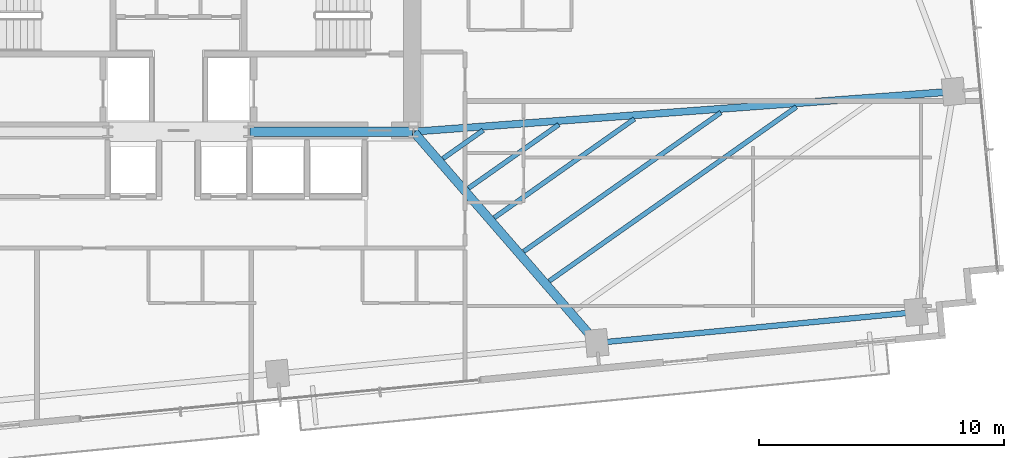
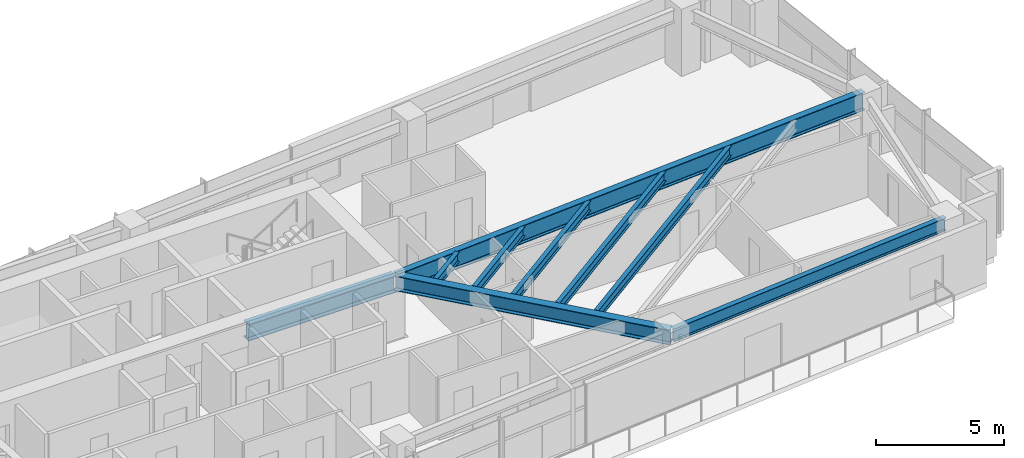
# One storey, part 13 of 27: 9 beams.
"""IFC4 building model written with IfcOpenShell, lengths in metres."""

from ifc_helpers import new_model, si_unit, direction, frame, origin, origin_2d, place, context, subcontext, project, spatial, i_section, extrude, source, transform, mapped, material, material_profile, profile_set, type_object, type_shapes, element, save


model = new_model("IFC4")

# Units and contexts
model_context = context("Model", 3, precision=1e-05, world=origin(), true_north=direction((0.0, 1.0)))
body_context = subcontext(model_context, "Body", "Model", "MODEL_VIEW")
ifc_project = project(units=[si_unit("LENGTHUNIT", "METRE"), si_unit("AREAUNIT", "SQUARE_METRE"), si_unit("VOLUMEUNIT", "CUBIC_METRE"), si_unit("PLANEANGLEUNIT", "RADIAN"), si_unit("MASSUNIT", "GRAM", prefix="KILO")], contexts=[model_context])

# Site, building, storey
site_placement = place(None, origin())
site = spatial("IfcSite", under=ifc_project, at=site_placement, CompositionType="ELEMENT")
building_placement = place(site_placement, origin())
building = spatial("IfcBuilding", under=site, at=building_placement, Name="Astriad Promenade Condominiums", CompositionType="ELEMENT")
storey_placement = place(building_placement, frame((0.0, 0.0, 109.800048828125)))
storey = spatial("IfcBuildingStorey", under=building, at=storey_placement, Name="L31", CompositionType="ELEMENT", Elevation=109.800048828125)

# Beams
ifc_material = material(Name="Steel ASTM A992 Grade 50", Category="steel")
ifc_material_profile_1 = material_profile(ifc_material, i_section(OverallWidth=0.3837890625, OverallDepth=0.785888671875, WebThickness=0.019775390625, FlangeThickness=0.033447265625, FilletRadius=0.021484375, at=origin_2d()), Name="W30X211")
ifc_profile_set_1 = profile_set([ifc_material_profile_1], Name="Steel ASTM A992 Grade 50")
beam_type_1 = type_object("IfcBeamType", Name="STEEL FLOOR GIRDER W30X211", PredefinedType="BEAM", material=ifc_profile_set_1)
shared_shape_1 = source(origin(), body_context, "Body", "SweptSolid", [
    extrude(i_section(OverallWidth=0.3837890625, OverallDepth=0.785888671875, WebThickness=0.019775390625, FlangeThickness=0.033447265625, FilletRadius=0.021484375, at=origin_2d()), origin(), (0.0, 0.0, 1.0), 6.64013671875),
])
type_shapes(beam_type_1, [shared_shape_1])
beam_1_placement = place(storey_placement, frame((38.919921875, 17.39990234375, 2.546875), z_axis=(1.0, 0.0, 0.0), x_axis=(0.0, 1.0, 0.0)))
element("IfcBeam", 1, at=beam_1_placement, inside=storey, type_object=beam_type_1, Name="Core Ring Beam CG-S3-L31", PredefinedType="BEAM", context=body_context, shape_type="MappedRepresentation", body=[
    mapped(shared_shape_1, transform((0.0, 0.0, 0.0), scale=1.0)),
])
ifc_material_profile_2 = material_profile(ifc_material, i_section(OverallWidth=0.22900390625, OverallDepth=0.612060546875, WebThickness=0.011962890625, FlangeThickness=0.01953125, FilletRadius=0.017822265625, at=origin_2d()), Name="W24X84")
ifc_profile_set_2 = profile_set([ifc_material_profile_2], Name="Steel ASTM A992 Grade 50")
beam_type_2 = type_object("IfcBeamType", Name="STEEL SPANDREL BEAM W24X84", PredefinedType="SPANDREL", material=ifc_profile_set_2)
shared_shape_2 = source(origin(), body_context, "Body", "SweptSolid", [
    extrude(i_section(OverallWidth=0.22900390625, OverallDepth=0.612060546875, WebThickness=0.011962890625, FlangeThickness=0.01953125, FilletRadius=0.017822265625, at=origin_2d()), origin(), (0.0, 0.0, 1.0), 13.020263671875),
])
type_shapes(beam_type_2, [shared_shape_2])
beam_2_placement = place(storey_placement, frame((53.124755859375, 8.780029296875, 2.6337890625), z_axis=(0.995395311238, 0.095854965264, 0.0), x_axis=(-0.095854965264, 0.995395311238, 0.0)))
element("IfcBeam", 2, at=beam_2_placement, inside=storey, type_object=beam_type_2, Name="Perimeter Spandrel Beam SP-S4-L31", PredefinedType="SPANDREL", context=body_context, shape_type="MappedRepresentation", body=[
    mapped(shared_shape_2, transform((0.0, 0.0, 0.0), scale=1.0)),
])
ifc_material_profile_3 = material_profile(ifc_material, i_section(OverallWidth=0.35791015625, OverallDepth=0.706298828125, WebThickness=0.018310546875, FlangeThickness=0.0302734375, FilletRadius=0.020263671875, at=origin_2d()), Name="W27X178")
ifc_profile_set_3 = profile_set([ifc_material_profile_3], Name="Steel ASTM A992 Grade 50")
beam_type_3 = type_object("IfcBeamType", Name="STEEL FLOOR GIRDER W27X178", PredefinedType="BEAM", material=ifc_profile_set_3)
shared_shape_3 = source(origin(), body_context, "Body", "SweptSolid", [
    extrude(i_section(OverallWidth=0.35791015625, OverallDepth=0.706298828125, WebThickness=0.018310546875, FlangeThickness=0.0302734375, FilletRadius=0.020263671875, at=origin_2d()), origin(), (0.0, 0.0, 1.0), 11.339111328125),
])
type_shapes(beam_type_3, [shared_shape_3])
beam_3_placement = place(storey_placement, frame((53.058837890625, 8.806396484375, 2.586669921875), z_axis=(-0.65548120109, 0.755211490258, 0.0), x_axis=(-0.755211490258, -0.65548120109, 0.0)))
element("IfcBeam", 3, at=beam_3_placement, inside=storey, type_object=beam_type_3, Name="Primary Floor Girder PG-E2-L31", PredefinedType="BEAM", context=body_context, shape_type="MappedRepresentation", body=[
    mapped(shared_shape_3, transform((0.0, 0.0, 0.0), scale=1.0)),
])
ifc_material_profile_4 = material_profile(ifc_material, i_section(OverallWidth=0.2919921875, OverallDepth=0.85888671875, WebThickness=0.01708984375, FlangeThickness=0.031005859375, FilletRadius=0.02294921875, at=origin_2d()), Name="W33X169")
ifc_profile_set_4 = profile_set([ifc_material_profile_4], Name="Steel ASTM A992 Grade 50")
beam_type_4 = type_object("IfcBeamType", Name="STEEL PRIMARY GIRDER W33X169", PredefinedType="BEAM", material=ifc_profile_set_4)
shared_shape_4 = source(origin(), body_context, "Body", "SweptSolid", [
    extrude(i_section(OverallWidth=0.2919921875, OverallDepth=0.85888671875, WebThickness=0.01708984375, FlangeThickness=0.031005859375, FilletRadius=0.02294921875, at=origin_2d()), origin(), (0.0, 0.0, 1.0), 22.029052734375),
])
type_shapes(beam_type_4, [shared_shape_4])
beam_4_placement = place(storey_placement, frame((67.6083984375, 19.036376953125, 2.510498046875), z_axis=(-0.99724763887, -0.074142745897, 0.0), x_axis=(0.074142745897, -0.99724763887, 0.0)))
element("IfcBeam", 4, at=beam_4_placement, inside=storey, type_object=beam_type_4, Name="Primary Floor Girder PG-EM-L31", PredefinedType="BEAM", context=body_context, shape_type="MappedRepresentation", body=[
    mapped(shared_shape_4, transform((0.0, 0.0, 0.0), scale=1.0)),
])
ifc_material_profile_5 = material_profile(ifc_material, i_section(OverallWidth=0.19287109375, OverallDepth=0.466064453125, WebThickness=0.011474609375, FlangeThickness=0.01904296875, FilletRadius=0.01513671875, at=origin_2d()), Name="W18X65")
ifc_profile_set_5 = profile_set([ifc_material_profile_5], Name="Steel ASTM A992 Grade 50")
beam_type_5 = type_object("IfcBeamType", Name="STEEL FLOOR JOIST W18X65", PredefinedType="JOIST", material=ifc_profile_set_5)
shared_shape_5 = source(origin(), body_context, "Body", "SweptSolid", [
    extrude(i_section(OverallWidth=0.19287109375, OverallDepth=0.466064453125, WebThickness=0.011474609375, FlangeThickness=0.01904296875, FilletRadius=0.01513671875, at=origin_2d()), origin(), (0.0, 0.0, 1.0), 12.34375),
])
beam_5_placement = place(storey_placement, frame((51.144287109375, 11.30029296875, 2.706787109375), z_axis=(0.817418723738, 0.576043948048, 0.0), x_axis=(-0.576043948048, 0.817418723738, 0.0)))
element("IfcBeam", 5, at=beam_5_placement, inside=storey, type_object=beam_type_5, Name="Secondary Composite Floor Joist JE1-2-L31", PredefinedType="JOIST", context=body_context, shape_type="MappedRepresentation", body=[
    mapped(shared_shape_5, transform((0.0, 0.0, 0.0), scale=1.0)),
])
shared_shape_6 = source(origin(), body_context, "Body", "SweptSolid", [
    extrude(i_section(OverallWidth=0.19287109375, OverallDepth=0.466064453125, WebThickness=0.011474609375, FlangeThickness=0.01904296875, FilletRadius=0.01513671875, at=origin_2d()), origin(), (0.0, 0.0, 1.0), 9.849609375),
])
beam_6_placement = place(storey_placement, frame((50.096435546875, 12.507568359375, 2.706787109375), z_axis=(0.817418240833, 0.5760446333, 0.0), x_axis=(-0.5760446333, 0.817418240833, 0.0)))
element("IfcBeam", 6, at=beam_6_placement, inside=storey, type_object=beam_type_5, Name="Secondary Composite Floor Joist JE1-3-L31", PredefinedType="JOIST", context=body_context, shape_type="MappedRepresentation", body=[
    mapped(shared_shape_6, transform((0.0, 0.0, 0.0), scale=1.0)),
])
shared_shape_7 = source(origin(), body_context, "Body", "SweptSolid", [
    extrude(i_section(OverallWidth=0.19287109375, OverallDepth=0.466064453125, WebThickness=0.011474609375, FlangeThickness=0.01904296875, FilletRadius=0.01513671875, at=origin_2d()), origin(), (0.0, 0.0, 1.0), 6.9990234375),
])
beam_7_placement = place(storey_placement, frame((48.898681640625, 13.88720703125, 2.706787109375), z_axis=(0.81742196028, 0.576039355298, 0.0), x_axis=(-0.576039355298, 0.81742196028, 0.0)))
element("IfcBeam", 7, at=beam_7_placement, inside=storey, type_object=beam_type_5, Name="Secondary Composite Floor Joist JE1-4-L31", PredefinedType="JOIST", context=body_context, shape_type="MappedRepresentation", body=[
    mapped(shared_shape_7, transform((0.0, 0.0, 0.0), scale=1.0)),
])
shared_shape_8 = source(origin(), body_context, "Body", "SweptSolid", [
    extrude(i_section(OverallWidth=0.19287109375, OverallDepth=0.466064453125, WebThickness=0.011474609375, FlangeThickness=0.01904296875, FilletRadius=0.01513671875, at=origin_2d()), origin(), (0.0, 0.0, 1.0), 4.504638671875),
])
beam_8_placement = place(storey_placement, frame((47.850830078125, 15.0947265625, 2.706787109375), z_axis=(0.817448215019, 0.576002097012, 0.0), x_axis=(-0.576002097012, 0.817448215019, 0.0)))
element("IfcBeam", 8, at=beam_8_placement, inside=storey, type_object=beam_type_5, Name="Secondary Composite Floor Joist JE1-5-L31", PredefinedType="JOIST", context=body_context, shape_type="MappedRepresentation", body=[
    mapped(shared_shape_8, transform((0.0, 0.0, 0.0), scale=1.0)),
])
shared_shape_9 = source(origin(), body_context, "Body", "SweptSolid", [
    extrude(i_section(OverallWidth=0.19287109375, OverallDepth=0.466064453125, WebThickness=0.011474609375, FlangeThickness=0.01904296875, FilletRadius=0.01513671875, at=origin_2d()), origin(), (0.0, 0.0, 1.0), 2.01025390625),
])
type_shapes(beam_type_5, [shared_shape_5, shared_shape_6, shared_shape_7, shared_shape_8, shared_shape_9])
beam_9_placement = place(storey_placement, frame((46.802978515625, 16.302001953125, 2.706787109375), z_axis=(0.8174421453, 0.576010710913, 0.0), x_axis=(-0.576010710913, 0.8174421453, 0.0)))
element("IfcBeam", 9, at=beam_9_placement, inside=storey, type_object=beam_type_5, Name="Secondary Composite Floor Joist JE1-6-L31", PredefinedType="JOIST", context=body_context, shape_type="MappedRepresentation", body=[
    mapped(shared_shape_9, transform((0.0, 0.0, 0.0), scale=1.0)),
])

save(model, "model.ifc")
